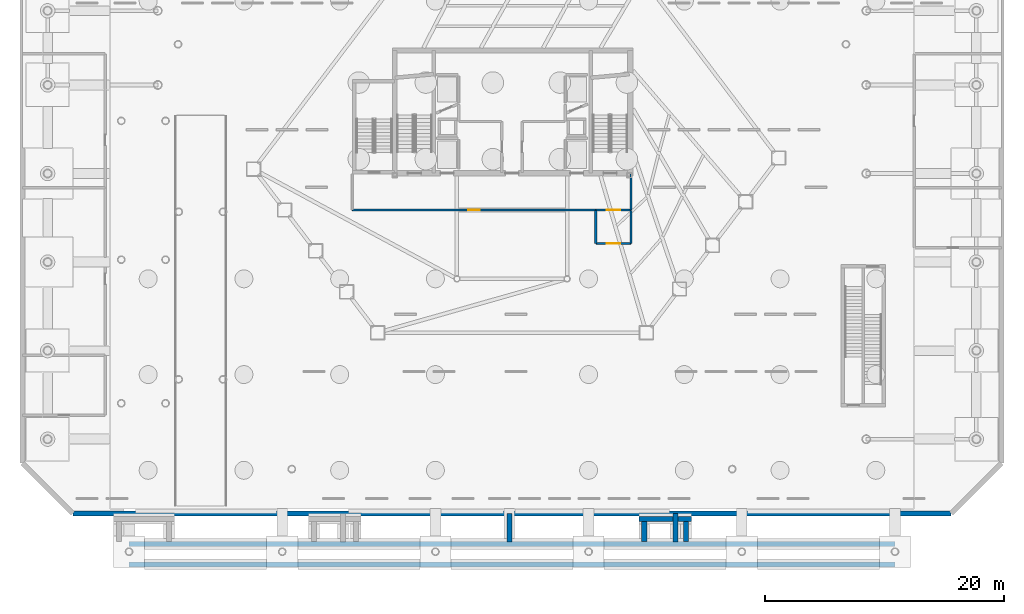
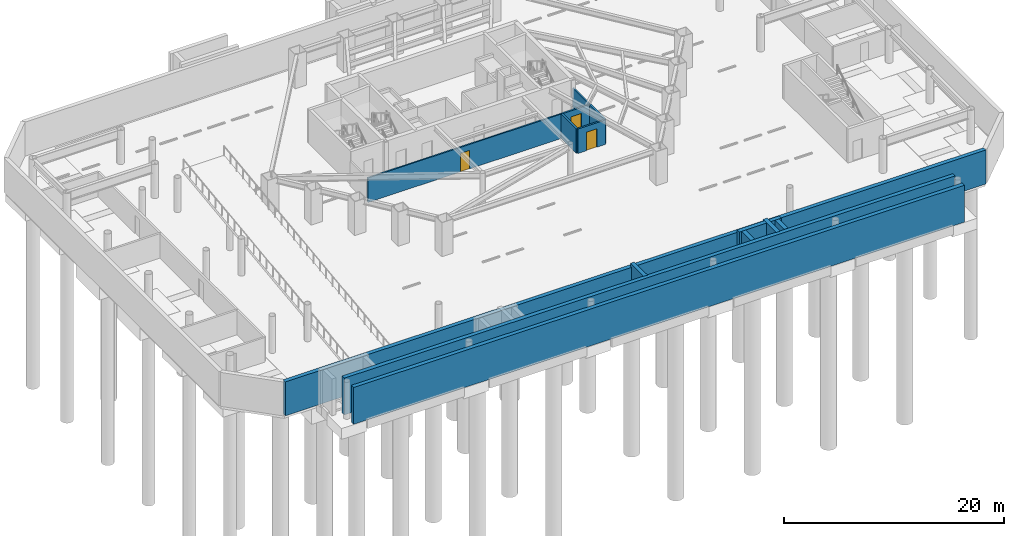
# One storey, part 11 of 19: 14 walls, 3 doors, 3 openings.
"""IFC4 building model written with IfcOpenShell, lengths in metres."""

import ifcopenshell
import ifcopenshell.guid

model = None  # the IFC model being written
_history = None  # IfcOwnerHistory: only IFC2X3 demands one
_inside = {}  # id of a spatial element -> (the spatial element, [elements in it])
_under = {}  # id of a project, library or spatial element -> (it, [spatial elements below it])
_declared = {}  # id of a project -> (the project, [libraries it declares])
_typed = {}  # id of a type object -> (the type object, [elements of that type])
_made_of = {}  # id of a material, layer set ... -> (it, [elements and type objects made of it])


def new_model(schema):
    """Start an empty IFC model of exactly this schema.

    Asked for "IFC4X3", IfcOpenShell would pick the latest addendum, in which some entities
    have other attributes; the version numbers below select the first issue.
    IFC2X3 requires an IfcOwnerHistory on every rooted entity: one is made here for all.
    """
    global model, _history
    if schema == "IFC4X3":
        model = ifcopenshell.file(schema_version=(4, 3, 0, 0))
    else:
        model = ifcopenshell.file(schema=schema)
    _inside.clear()
    _under.clear()
    _declared.clear()
    _typed.clear()
    _made_of.clear()
    _history = None
    if model.schema == "IFC2X3":
        org = make("IfcOrganization", Name="unknown")
        user = make(
            "IfcPersonAndOrganization",
            ThePerson=make("IfcPerson", FamilyName="unknown"),
            TheOrganization=org,
        )
        app = make(
            "IfcApplication",
            ApplicationDeveloper=org,
            Version="unknown",
            ApplicationFullName="unknown",
            ApplicationIdentifier="unknown",
        )
        _history = make(
            "IfcOwnerHistory",
            OwningUser=user,
            OwningApplication=app,
            ChangeAction="ADDED",
            CreationDate=0,
        )
    return model


def make(cls, **values):
    """One entity of the class cls with the attributes given. An attribute that is None is left unset."""
    return model.create_entity(
        cls, **{name: value for name, value in values.items() if value is not None}
    )


def rooted(cls, **values):
    """An entity with a GlobalId (a new one), such as an element, a storey or a relation."""
    return make(cls, GlobalId=ifcopenshell.guid.new(), OwnerHistory=_history, **values)


def si_unit(unit_type, name, prefix=None):
    """IfcSIUnit, for example si_unit("LENGTHUNIT", "METRE", prefix="MILLI")."""
    return make("IfcSIUnit", UnitType=unit_type, Prefix=prefix, Name=name)


def assignment(units):
    """IfcUnitAssignment: the units of a project."""
    return None if units is None else make("IfcUnitAssignment", Units=units)


def point(xyz):
    """IfcCartesianPoint."""
    return None if xyz is None else make("IfcCartesianPoint", Coordinates=xyz)


def direction(xyz):
    """IfcDirection."""
    return None if xyz is None else make("IfcDirection", DirectionRatios=xyz)


def frame(location, z_axis=None, x_axis=None):
    """IfcAxis2Placement3D, a coordinate frame: its origin and axes. An axis left out is left unset."""
    return make(
        "IfcAxis2Placement3D",
        Location=point(location),
        Axis=direction(z_axis),
        RefDirection=direction(x_axis),
    )


def frame_2d(location, x_axis=None):
    """IfcAxis2Placement2D, a coordinate frame in the plane: its origin and x axis."""
    return make(
        "IfcAxis2Placement2D", Location=point(location), RefDirection=direction(x_axis)
    )


def origin():
    """The frame at (0, 0, 0) with its axes left unset."""
    return frame((0.0, 0.0, 0.0))


def place(relative_to, where):
    """IfcLocalPlacement: puts the frame where relative to a parent placement (None: the world)."""
    return make(
        "IfcLocalPlacement", PlacementRelTo=relative_to, RelativePlacement=where
    )


def context(
    kind, dimensions, precision=None, world=None, true_north=None, identifier=None
):
    """IfcGeometricRepresentationContext, for example the 3D "Model" context."""
    return make(
        "IfcGeometricRepresentationContext",
        ContextIdentifier=identifier,
        ContextType=kind,
        CoordinateSpaceDimension=dimensions,
        Precision=precision,
        WorldCoordinateSystem=world,
        TrueNorth=true_north,
    )


def subcontext(parent, identifier, kind, view, scale=None):
    """IfcGeometricRepresentationSubContext, for example "Body" below "Model"."""
    return make(
        "IfcGeometricRepresentationSubContext",
        ContextIdentifier=identifier,
        ContextType=kind,
        ParentContext=parent,
        TargetScale=scale,
        TargetView=view,
    )


def project(units=None, contexts=None):
    """IfcProject with its units and contexts."""
    return rooted(
        "IfcProject",
        Name="project",
        RepresentationContexts=contexts,
        UnitsInContext=assignment(units),
    )


def spatial(cls, under=None, at=None, **own):
    """A site, building, storey or space (cls), placed at a placement, below another one or the project."""
    s = rooted(cls, ObjectPlacement=at, **own)
    if under is not None:
        _under.setdefault(under.id(), (under, []))[1].append(s)
    return s


def profile(cls, at=None, kind="AREA", **sizes):
    """A parametric profile (cls). Its sizes go by their IFC names, for example OverallWidth=200.0."""
    return make(cls, ProfileType=kind, Position=at, **sizes)


def rectangle(**sizes):
    """IfcRectangleProfileDef."""
    return profile("IfcRectangleProfileDef", **sizes)


def extrude(swept, where, along, depth):
    """IfcExtrudedAreaSolid: the profile swept, set in the frame where, extruded along a direction by depth."""
    return make(
        "IfcExtrudedAreaSolid",
        SweptArea=swept,
        Position=where,
        ExtrudedDirection=direction(along),
        Depth=depth,
    )


def shape(context_of_items, identifier, shape_type, items):
    """IfcShapeRepresentation: the items that make up one representation, for example the "Body"."""
    return make(
        "IfcShapeRepresentation",
        ContextOfItems=context_of_items,
        RepresentationIdentifier=identifier,
        RepresentationType=shape_type,
        Items=items,
    )


def material(Name=None, Category=None):
    """IfcMaterial."""
    return make("IfcMaterial", Name=Name, Category=Category)


def layer(
    of_material, thickness, ventilated=None, Name=None, Category=None, Priority=None
):
    """IfcMaterialLayer: one layer of a wall or slab, of a material (None: an air gap)."""
    return make(
        "IfcMaterialLayer",
        Material=of_material,
        LayerThickness=thickness,
        IsVentilated=ventilated,
        Name=Name,
        Category=Category,
        Priority=Priority,
    )


def layer_set(layers, Name=None):
    """IfcMaterialLayerSet."""
    return make("IfcMaterialLayerSet", MaterialLayers=layers, LayerSetName=Name)


def made_of(thing, what):
    """Note that an element or type object is made of a material, layer set ...; save() writes the relation."""
    if what is not None:
        _made_of.setdefault(what.id(), (what, []))[1].append(thing)
    return thing


def type_object(cls, material=None, **own):
    """A type object (cls), such as IfcWallType, which elements share."""
    return made_of(rooted(cls, **own), material)


def element(
    cls,
    number,
    at=None,
    inside=None,
    cuts=None,
    type_object=None,
    material=None,
    context=None,
    identifier="Body",
    shape_type=None,
    held_by="IfcProductDefinitionShape",
    body=None,
    shapes=None,
    **own,
):
    """One element of the class cls, such as IfcWall. Its Tag is "e" and its number.

    at: its placement. inside: the storey or other place that contains it. cuts: it is an
    opening in that element (IfcRelVoidsElement). A single representation is given by context,
    identifier, shape_type and body (its items); several are given by shapes. held_by: the class
    of the entity that holds the representations. save() writes the other relations.
    """
    e = rooted(cls, Tag="e%d" % number, ObjectPlacement=at, **own)
    if body is not None:
        shapes = [shape(context, identifier, shape_type, body)]
    if shapes is not None:
        e.Representation = make(held_by, Representations=shapes)
    if inside is not None:
        _inside.setdefault(inside.id(), (inside, []))[1].append(e)
    if cuts is not None:
        rooted(
            "IfcRelVoidsElement", RelatingBuildingElement=cuts, RelatedOpeningElement=e
        )
    if type_object is not None:
        _typed.setdefault(type_object.id(), (type_object, []))[1].append(e)
    return made_of(e, material)


def fill(opening, filler):
    """IfcRelFillsElement: the door or window that sits in an opening."""
    return rooted(
        "IfcRelFillsElement",
        RelatingOpeningElement=opening,
        RelatedBuildingElement=filler,
    )


def aggregate(whole, parts):
    """IfcRelAggregates: a whole, such as a stair, and the parts it consists of."""
    return rooted("IfcRelAggregates", RelatingObject=whole, RelatedObjects=parts)


def save(model, path):
    """Write the relations noted so far, then the file.

    IfcRelAggregates (storeys below a building ...), IfcRelContainedInSpatialStructure (elements
    in a storey), IfcRelDefinesByType, IfcRelAssociatesMaterial and IfcRelDeclares: one each for
    every whole, place, type object, material and project.
    """
    for whole, parts in _under.values():
        aggregate(whole, parts)
    for where, things in _inside.values():
        rooted(
            "IfcRelContainedInSpatialStructure",
            RelatedElements=things,
            RelatingStructure=where,
        )
    for kind, things in _typed.values():
        rooted("IfcRelDefinesByType", RelatedObjects=things, RelatingType=kind)
    for what, things in _made_of.values():
        rooted("IfcRelAssociatesMaterial", RelatedObjects=things, RelatingMaterial=what)
    for by, libraries in _declared.values():
        rooted("IfcRelDeclares", RelatingContext=by, RelatedDefinitions=libraries)
    model.write(path)


model = new_model("IFC4")

# Units and contexts
model_context = context("Model", 3, precision=1e-05, world=origin(), true_north=direction((0.0, 1.0)))
body_context = subcontext(model_context, "Body", "Model", "MODEL_VIEW")
ifc_project = project(units=[si_unit("LENGTHUNIT", "METRE"), si_unit("AREAUNIT", "SQUARE_METRE"), si_unit("VOLUMEUNIT", "CUBIC_METRE"), si_unit("PLANEANGLEUNIT", "RADIAN"), si_unit("MASSUNIT", "GRAM", prefix="KILO")], contexts=[model_context])

# Site, building, storey
site_placement = place(None, origin())
site = spatial("IfcSite", under=ifc_project, at=site_placement, CompositionType="ELEMENT")
building_placement = place(site_placement, origin())
building = spatial("IfcBuilding", under=site, at=building_placement, Name="Zarrinselat Tower", CompositionType="ELEMENT")
storey_placement = place(building_placement, frame((0.0, 0.0, -8.159912109375)))
storey = spatial("IfcBuildingStorey", under=building, at=storey_placement, Name="B02", CompositionType="ELEMENT", Elevation=-8.159912109375)

# Wall, opening, door
ifc_material_1 = material(Name="Concrete C40/50", Category="concrete")
ifc_layer_1 = layer(ifc_material_1, 0.18994140625)
ifc_layer_set_1 = layer_set([ifc_layer_1], Name="Concrete C40/50")
wall_type_1 = type_object("IfcWallType", Name="WAL-PART-EI120", PredefinedType="PARTITIONING", material=ifc_layer_set_1)
wall_1_placement = place(storey_placement, frame((45.405029296875, 30.14990234375, 0.0), z_axis=(0.0, 0.0, 1.0), x_axis=(1.0, 0.0, 0.0)))
wall_1 = element("IfcWall", 1, at=wall_1_placement, inside=storey, type_object=wall_type_1, Name="B02 Partition Wall 7", PredefinedType="PARTITIONING", context=body_context, shape_type="SweptSolid", body=[
    extrude(rectangle(XDim=2.925048828125, YDim=0.18994140625, at=frame_2d((1.46240234375, 0.0))), origin(), (0.0, 0.0, 1.0), 2.716796875),
])
opening_1_placement = place(wall_1_placement, frame((0.902587890625, 0.0, 0.0)))
opening_1 = element("IfcOpeningElement", 2, at=opening_1_placement, cuts=wall_1, Name="Opening ID-02", PredefinedType="OPENING", context=body_context, shape_type="SweptSolid", body=[
    extrude(rectangle(XDim=1.1201171875, YDim=2.050048828125, at=frame_2d((0.56005859375, 1.02490234375))), frame((0.0, 0.10498046875, 0.0), z_axis=(0.0, -1.0, 0.0), x_axis=(1.0, 0.0, 0.0)), (0.0, 0.0, 1.0), 0.2099609375),
])
ifc_material_2 = material(Name="Steel S355J2", Category="steel")
door_type_1 = type_object("IfcDoorType", Name="DR-INT-FD60-W", OperationType="NOTDEFINED", PredefinedType="DOOR", material=ifc_material_2)
door_1_placement = place(opening_1_placement, origin())
door_1 = element("IfcDoor", 3, at=door_1_placement, inside=storey, type_object=door_type_1, Name="B02 Interior Door P7", OperationType="SINGLE_SWING_LEFT", OverallHeight=2.050048828125, OverallWidth=1.1201171875, PredefinedType="DOOR", context=body_context, shape_type="SweptSolid", body=[
    extrude(rectangle(XDim=1.1201171875, YDim=2.050048828125, at=frame_2d((0.56005859375, 1.02490234375))), frame((0.0, 0.02490234375, 0.0), z_axis=(0.0, -1.0, 0.0), x_axis=(1.0, 0.0, 0.0)), (0.0, 0.0, 1.0), 0.050048828125),
])
fill(opening_1, door_1)

wall_2_placement = place(storey_placement, frame((45.419921875, 27.35009765625, 0.0), z_axis=(0.0, 0.0, 1.0), x_axis=(1.0, 0.0, 0.0)))
wall_2 = element("IfcWall", 4, at=wall_2_placement, inside=storey, type_object=wall_type_1, Name="B02 Partition Wall 11", PredefinedType="PARTITIONING", context=body_context, shape_type="SweptSolid", body=[
    extrude(rectangle(XDim=2.91015625, YDim=0.18994140625, at=frame_2d((1.455078125, 0.0))), origin(), (0.0, 0.0, 1.0), 2.716796875),
])
opening_2_placement = place(wall_2_placement, frame((0.89501953125, 0.0, 0.0)))
opening_2 = element("IfcOpeningElement", 5, at=opening_2_placement, cuts=wall_2, Name="Opening ID-02", PredefinedType="OPENING", context=body_context, shape_type="SweptSolid", body=[
    extrude(rectangle(XDim=1.1201171875, YDim=2.050048828125, at=frame_2d((0.56005859375, 1.02490234375))), frame((0.0, 0.10498046875, 0.0), z_axis=(0.0, -1.0, 0.0), x_axis=(1.0, 0.0, 0.0)), (0.0, 0.0, 1.0), 0.2099609375),
])
door_2_placement = place(opening_2_placement, origin())
door_2 = element("IfcDoor", 6, at=door_2_placement, inside=storey, type_object=door_type_1, Name="B02 Interior Door P11", OperationType="SINGLE_SWING_LEFT", OverallHeight=2.050048828125, OverallWidth=1.1201171875, PredefinedType="DOOR", context=body_context, shape_type="SweptSolid", body=[
    extrude(rectangle(XDim=1.1201171875, YDim=2.050048828125, at=frame_2d((0.56005859375, 1.02490234375))), frame((0.0, 0.02490234375, 0.0), z_axis=(0.0, -1.0, 0.0), x_axis=(1.0, 0.0, 0.0)), (0.0, 0.0, 1.0), 0.050048828125),
])
fill(opening_2, door_2)

# Walls
for number, where, z_axis, x_axis, name in (
    (7, (45.39990234375, 27.3701171875, 0.0), (0.0, 0.0, 1.0), (0.0, 1.0, 0.0), "B02 Partition Wall 12"),
    (8, (48.35009765625, 27.3701171875, 0.0), (0.0, 0.0, 1.0), (0.0, 1.0, 0.0), "B02 Partition Wall 13"),
):
    element("IfcWall", number, at=place(storey_placement, frame(where, z_axis=z_axis, x_axis=x_axis)), inside=storey, type_object=wall_type_1, Name=name, PredefinedType="PARTITIONING", context=body_context, shape_type="SweptSolid", body=[
        extrude(rectangle(XDim=2.759765625, YDim=0.18994140625, at=frame_2d((1.3798828125, 0.0))), origin(), (0.0, 0.0, 1.0), 2.716796875),
    ])
ifc_material_3 = material(Name="Fire-Rated Gypsum Board Partition", Category="gypsum")
ifc_layer_2 = layer(ifc_material_3, 0.14990234375)
ifc_layer_set_2 = layer_set([ifc_layer_2], Name="Fire-Rated Gypsum Board Partition")
wall_type_2 = type_object("IfcWallType", Name="WAL-PART-EI60", PredefinedType="PARTITIONING", material=ifc_layer_set_2)
wall_3_placement = place(storey_placement, frame((48.35009765625, 30.169921875, 0.0), z_axis=(0.0, 0.0, 1.0), x_axis=(0.0, 1.0, 0.0)))
element("IfcWall", 9, at=wall_3_placement, inside=storey, type_object=wall_type_2, Name="B02 Partition Wall 8", PredefinedType="PARTITIONING", context=body_context, shape_type="SweptSolid", body=[
    extrude(rectangle(XDim=2.97509765625, YDim=0.14990234375, at=frame_2d((1.487548828125, 0.0))), origin(), (0.0, 0.0, 1.0), 2.716796875),
])

# Wall, opening, door
wall_4_placement = place(storey_placement, frame((25.070068359375, 30.14990234375, 0.0), z_axis=(0.0, 0.0, 1.0), x_axis=(1.0, 0.0, 0.0)))
wall_4 = element("IfcWall", 10, at=wall_4_placement, inside=storey, type_object=wall_type_2, Name="B02 Partition Wall 9", PredefinedType="PARTITIONING", context=body_context, shape_type="SweptSolid", body=[
    extrude(rectangle(XDim=20.324951171875, YDim=0.14990234375, at=frame_2d((10.16259765625, 0.0))), origin(), (0.0, 0.0, 1.0), 2.716796875),
])
opening_3_placement = place(wall_4_placement, frame((9.6923828125, 0.0, 0.0)))
opening_3 = element("IfcOpeningElement", 11, at=opening_3_placement, cuts=wall_4, Name="Opening ID-04", PredefinedType="OPENING", context=body_context, shape_type="SweptSolid", body=[
    extrude(rectangle(XDim=0.93994140625, YDim=2.050048828125, at=frame_2d((0.469970703125, 1.02490234375))), frame((0.0, 0.0849609375, 0.0), z_axis=(0.0, -1.0, 0.0), x_axis=(1.0, 0.0, 0.0)), (0.0, 0.0, 1.0), 0.169921875),
])
ifc_material_4 = material(Name="Fire-Rated Gypsum Board Partition")
door_type_2 = type_object("IfcDoorType", Name="DR-INT-FD30-ENT", OperationType="NOTDEFINED", PredefinedType="DOOR", material=ifc_material_4)
door_3_placement = place(opening_3_placement, origin())
door_3 = element("IfcDoor", 12, at=door_3_placement, inside=storey, type_object=door_type_2, Name="B02 Interior Door P9", OperationType="SINGLE_SWING_RIGHT", OverallHeight=2.050048828125, OverallWidth=0.93994140625, PredefinedType="DOOR", context=body_context, shape_type="SweptSolid", body=[
    extrude(rectangle(XDim=0.93994140625, YDim=2.050048828125, at=frame_2d((0.469970703125, 1.02490234375))), frame((0.0, 0.02490234375, 0.0), z_axis=(0.0, -1.0, 0.0), x_axis=(1.0, 0.0, 0.0)), (0.0, 0.0, 1.0), 0.050048828125),
])
fill(opening_3, door_3)

# Walls
ifc_material_5 = material(Name="Concrete C50/60", Category="concrete")
ifc_layer_3 = layer(ifc_material_5, 0.419921875)
ifc_layer_set_3 = layer_set([ifc_layer_3], Name="Concrete C50/60")
wall_type_3 = type_object("IfcWallType", Name="WAL-RET-420", PredefinedType="SOLIDWALL", material=ifc_layer_set_3)
for number, where, z_axis, x_axis, name in (
    (13, (6.39990234375, 0.550048828125, 0.0), (0.0, 0.0, 1.0), (1.0, 0.0, 0.0), "B02 Forecourt Plaza South Substructure Wall"),
    (14, (6.39990234375, 2.25, 0.0), (0.0, 0.0, 1.0), (1.0, 0.0, 0.0), "B02 Forecourt Plaza North Substructure Wall"),
):
    element("IfcWall", number, at=place(storey_placement, frame(where, z_axis=z_axis, x_axis=x_axis)), inside=storey, type_object=wall_type_3, Name=name, PredefinedType="SOLIDWALL", context=body_context, shape_type="SweptSolid", body=[
        extrude(rectangle(XDim=64.0, YDim=0.419921875, at=frame_2d((32.0, 0.0))), origin(), (0.0, 0.0, 1.0), 4.079833984375),
    ])
for number, where, z_axis, x_axis, name in (
    (15, (38.175048828125, 2.39990234375, 0.0), (0.0, 0.0, 1.0), (0.0, 1.0, 0.0), "B02 Accessible Ramp 2 Bearing Wall"),
    (16, (52.074951171875, 2.39990234375, 0.0), (0.0, 0.0, 1.0), (0.0, 1.0, 0.0), "B02 Accessible Ramp 3 Bearing Wall"),
):
    element("IfcWall", number, at=place(storey_placement, frame(where, z_axis=z_axis, x_axis=x_axis)), inside=storey, type_object=wall_type_3, Name=name, PredefinedType="SOLIDWALL", context=body_context, shape_type="SweptSolid", body=[
        extrude(rectangle(XDim=2.400146484375, YDim=0.419921875, at=frame_2d((1.2001953125, 0.0))), origin(), (0.0, 0.0, 1.0), 4.079833984375),
    ])
wall_5_placement = place(storey_placement, frame((49.0, 4.35009765625, 0.0), z_axis=(0.0, 0.0, 1.0), x_axis=(1.0, 0.0, 0.0)))
element("IfcWall", 17, at=wall_5_placement, inside=storey, type_object=wall_type_3, Name="B02 EXE Apron North Bearing Wall", PredefinedType="SOLIDWALL", context=body_context, shape_type="SweptSolid", body=[
    extrude(rectangle(XDim=4.39990234375, YDim=0.419921875, at=frame_2d((2.199951171875, 0.0))), origin(), (0.0, 0.0, 1.0), 4.079833984375),
])
for number, where, z_axis, x_axis, name in (
    (18, (49.449951171875, 2.469970703125, 0.0), (0.0, 0.0, 1.0), (0.0, 1.0, 0.0), "B02 EXE Apron West Cross Bearing Wall"),
    (19, (52.949951171875, 2.469970703125, 0.0), (0.0, 0.0, 1.0), (0.0, 1.0, 0.0), "B02 EXE Apron East Cross Bearing Wall"),
):
    element("IfcWall", number, at=place(storey_placement, frame(where, z_axis=z_axis, x_axis=x_axis)), inside=storey, type_object=wall_type_3, Name=name, PredefinedType="SOLIDWALL", context=body_context, shape_type="SweptSolid", body=[
        extrude(rectangle(XDim=1.659912109375, YDim=0.419921875, at=frame_2d((0.830078125, 0.0))), origin(), (0.0, 0.0, 1.0), 4.079833984375),
    ])
wall_6_placement = place(storey_placement, frame((1.699951171875, 4.800048828125, 0.0), z_axis=(0.0, 0.0, 1.0), x_axis=(1.0, 0.0, 0.0)))
element("IfcWall", 20, at=wall_6_placement, inside=storey, type_object=wall_type_3, Name="B02 Basement Perimeter Retaining Wall 1", PredefinedType="SOLIDWALL", context=body_context, shape_type="SweptSolid", body=[
    extrude(rectangle(XDim=73.400146484375, YDim=0.419921875, at=frame_2d((36.7001953125, 0.0))), origin(), (0.0, 0.0, 1.0), 3.760009765625),
])

save(model, "model.ifc")
